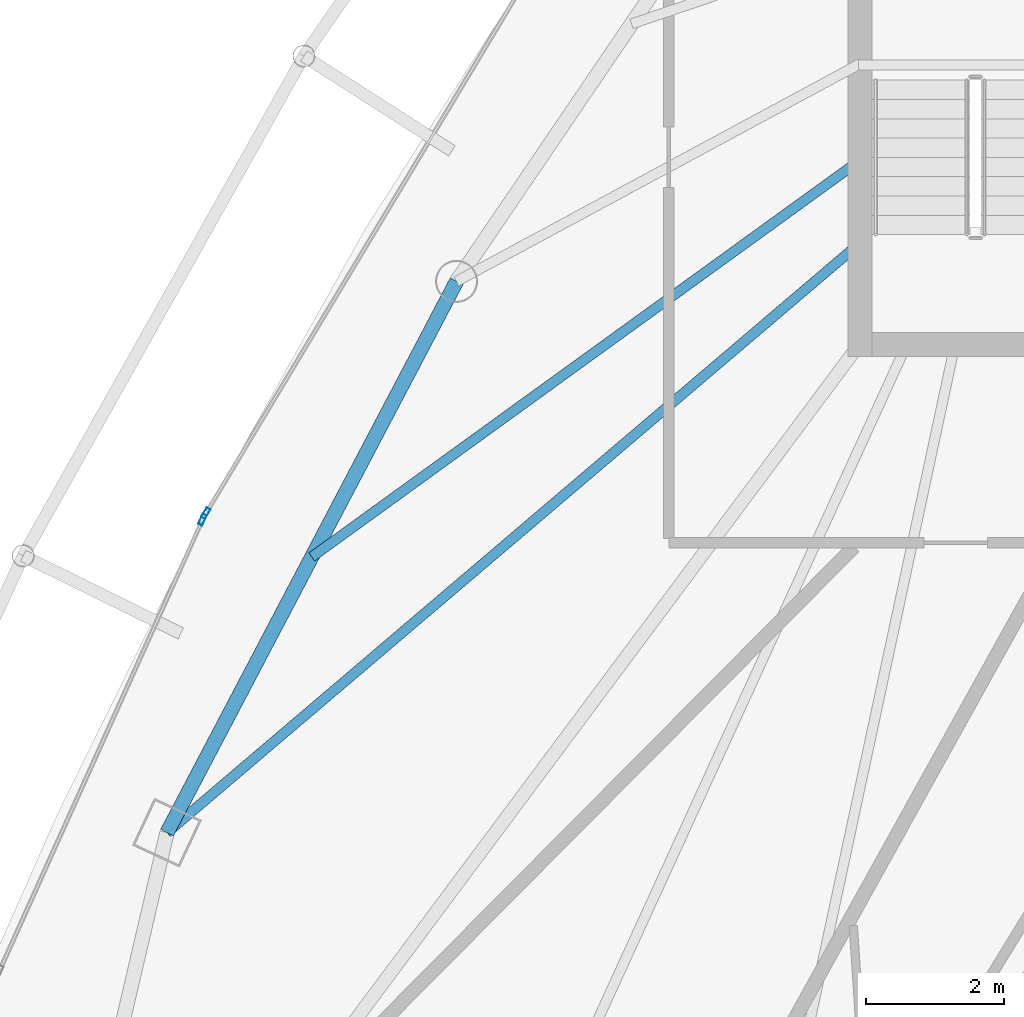
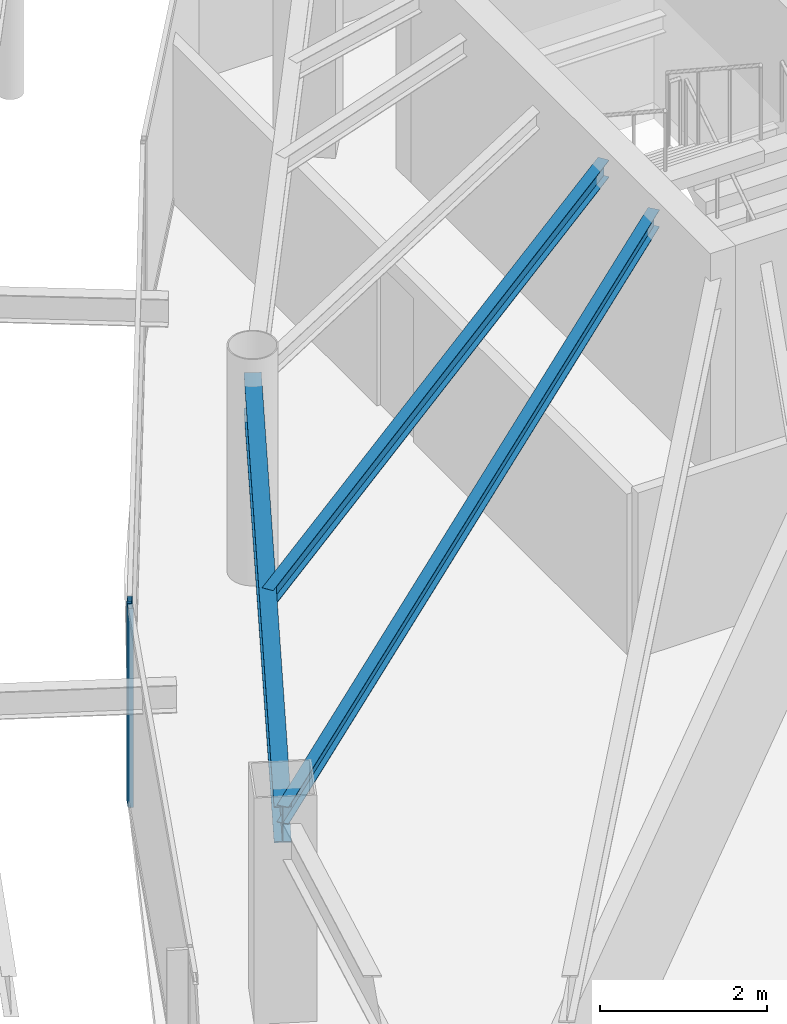
# One storey, part 10 of 29: 3 beams, 2 members, 2 elements without a shape of their own.
"""IFC4 building model written with IfcOpenShell, lengths in metres."""

from ifc_helpers import new_model, si_unit, direction, frame, origin, origin_2d, place, context, subcontext, project, spatial, hollow_rectangle, i_section, extrude, material, layer, layer_set, material_profile, profile_set, type_object, element, aggregate, save


model = new_model("IFC4")

# Units and contexts
model_context = context("Model", 3, precision=1e-05, world=origin(), true_north=direction((0.0, 1.0)))
body_context = subcontext(model_context, "Body", "Model", "MODEL_VIEW")
ifc_project = project(units=[si_unit("LENGTHUNIT", "METRE"), si_unit("AREAUNIT", "SQUARE_METRE"), si_unit("VOLUMEUNIT", "CUBIC_METRE"), si_unit("PLANEANGLEUNIT", "RADIAN"), si_unit("MASSUNIT", "GRAM", prefix="KILO")], contexts=[model_context])

# Site, building, storey
site_placement = place(None, origin())
site = spatial("IfcSite", under=ifc_project, at=site_placement, CompositionType="ELEMENT")
building_placement = place(site_placement, origin())
building = spatial("IfcBuilding", under=site, at=building_placement, Name="Orvanel Arch Residences", CompositionType="ELEMENT")
storey_placement = place(building_placement, frame((0.0, 0.0, 253.550048828125)))
storey = spatial("IfcBuildingStorey", under=building, at=storey_placement, Name="L72", CompositionType="ELEMENT", Elevation=253.550048828125)

# Beams
ifc_material_1 = material(Name="Structural steel AS/NZS 3679.1 Grade 300 (300 MPa)", Category="steel")
ifc_material_profile_1 = material_profile(ifc_material_1, i_section(OverallWidth=0.14599609375, OverallDepth=0.251953125, WebThickness=0.006103515625, FlangeThickness=0.008544921875, at=origin_2d()), Name="250UB31.4")
ifc_profile_set_1 = profile_set([ifc_material_profile_1], Name="Structural steel AS/NZS 3679.1 Grade 300 (300 MPa)")
beam_type_1 = type_object("IfcBeamType", Name="BJ-250UB", PredefinedType="JOIST", material=ifc_profile_set_1)
beam_1_placement = place(storey_placement, frame((26.425048828125, 28.199951171875, 2.77392578125), z_axis=(-0.761622669031, -0.64802076357, 0.0), x_axis=(0.64802076357, -0.761622669031, 0.0)))
element("IfcBeam", 1, at=beam_1_placement, inside=storey, type_object=beam_type_1, Name="L72 W Wing Floor Joist", PredefinedType="JOIST", context=body_context, shape_type="SweptSolid", body=[
    extrude(i_section(OverallWidth=0.14599609375, OverallDepth=0.251953125, WebThickness=0.006103515625, FlangeThickness=0.008544921875, at=origin_2d()), origin(), (0.0, 0.0, 1.0), 13.2060546875),
])
beam_2_placement = place(storey_placement, frame((26.425048828125, 29.39990234375, 2.77392578125), z_axis=(-0.810144032972, -0.586230881002, 0.0), x_axis=(0.586230881002, -0.810144032972, 0.0)))
element("IfcBeam", 2, at=beam_2_placement, inside=storey, type_object=beam_type_1, Name="L72 CTW Wing Floor Joist", PredefinedType="JOIST", context=body_context, shape_type="SweptSolid", body=[
    extrude(i_section(OverallWidth=0.14599609375, OverallDepth=0.251953125, WebThickness=0.006103515625, FlangeThickness=0.008544921875, at=origin_2d()), origin(), (0.0, 0.0, 1.0), 9.82177734375),
])

# Curtain wall, member
ifc_material_2 = material(Name="Bronze-anodised aluminium AA6063-T6", Category="aluminium")
ifc_layer = layer(ifc_material_2, 0.175048828125)
ifc_layer_set = layer_set([ifc_layer], Name="Bronze-anodised aluminium AA6063-T6")
curtain_wall_type = type_object("IfcCurtainWallType", Name="CW4-HI-SYS", PredefinedType="NOTDEFINED", material=ifc_layer_set)
curtain_wall_1_placement = place(storey_placement, origin())
curtain_wall_1 = element("IfcCurtainWall", 3, at=curtain_wall_1_placement, inside=storey, type_object=curtain_wall_type, Name="L72 CW4-HI-SYS Unitised Curtain Wall", PredefinedType="NOTDEFINED")
ifc_material_profile_2 = material_profile(ifc_material_2, hollow_rectangle(XDim=0.06494140625, YDim=0.159912109375, WallThickness=0.00390625, at=origin_2d()), Name="ALU160x65x4")
ifc_profile_set_2 = profile_set([ifc_material_profile_2], Name="Bronze-anodised aluminium AA6063-T6")
member_type = type_object("IfcMemberType", Name="MUL-160x65", PredefinedType="MULLION", material=ifc_profile_set_2)
member_1_placement = place(storey_placement, frame((16.9306640625, 24.27587890625, 0.0), z_axis=(0.0, 0.0, 1.0), x_axis=(0.857576137808, -0.514357043174, 0.0)))
member_1 = element("IfcMember", 4, at=member_1_placement, type_object=member_type, Name="CW-S4 mullion 2", PredefinedType="MULLION", context=body_context, shape_type="SweptSolid", body=[
    extrude(hollow_rectangle(XDim=0.06494140625, YDim=0.159912109375, WallThickness=0.00390625, at=origin_2d()), origin(), (0.0, 0.0, 1.0), 2.89990234375),
])
aggregate(curtain_wall_1, [member_1])

curtain_wall_2_placement = place(storey_placement, origin())
curtain_wall_2 = element("IfcCurtainWall", 5, at=curtain_wall_2_placement, inside=storey, type_object=curtain_wall_type, Name="L72 CW4-HI-SYS Unitised Curtain Wall", PredefinedType="NOTDEFINED")
member_2_placement = place(storey_placement, frame((16.882568359375, 24.183349609375, 0.0), z_axis=(0.0, 0.0, 1.0), x_axis=(0.911907243559, -0.410396368338, 0.0)))
member_2 = element("IfcMember", 6, at=member_2_placement, type_object=member_type, Name="CW-S4 mullion 1", PredefinedType="MULLION", context=body_context, shape_type="SweptSolid", body=[
    extrude(hollow_rectangle(XDim=0.06494140625, YDim=0.159912109375, WallThickness=0.00390625, at=origin_2d()), origin(), (0.0, 0.0, 1.0), 2.89990234375),
])
aggregate(curtain_wall_2, [member_2])

# Beam
ifc_material_profile_3 = material_profile(ifc_material_1, i_section(OverallWidth=0.208984375, OverallDepth=0.532958984375, WebThickness=0.01025390625, FlangeThickness=0.015625, at=origin_2d()), Name="530UB92.4")
ifc_profile_set_3 = profile_set([ifc_material_profile_3], Name="Structural steel AS/NZS 3679.1 Grade 300 (300 MPa)")
beam_type_2 = type_object("IfcBeamType", Name="SP-530UB", PredefinedType="SPANDREL", material=ifc_profile_set_3)
beam_3_placement = place(storey_placement, frame((20.569091796875, 27.64111328125, 2.633056640625), z_axis=(-0.465064762793, -0.885276660942, 0.0), x_axis=(0.885276660942, -0.465064762793, 0.0)))
element("IfcBeam", 7, at=beam_3_placement, inside=storey, type_object=beam_type_2, Name="L72 Perimeter Spandrel Beam 12", PredefinedType="SPANDREL", context=body_context, shape_type="SweptSolid", body=[
    extrude(i_section(OverallWidth=0.208984375, OverallDepth=0.532958984375, WebThickness=0.01025390625, FlangeThickness=0.015625, at=origin_2d()), origin(), (0.0, 0.0, 1.0), 9.03564453125),
])

save(model, "model.ifc")
